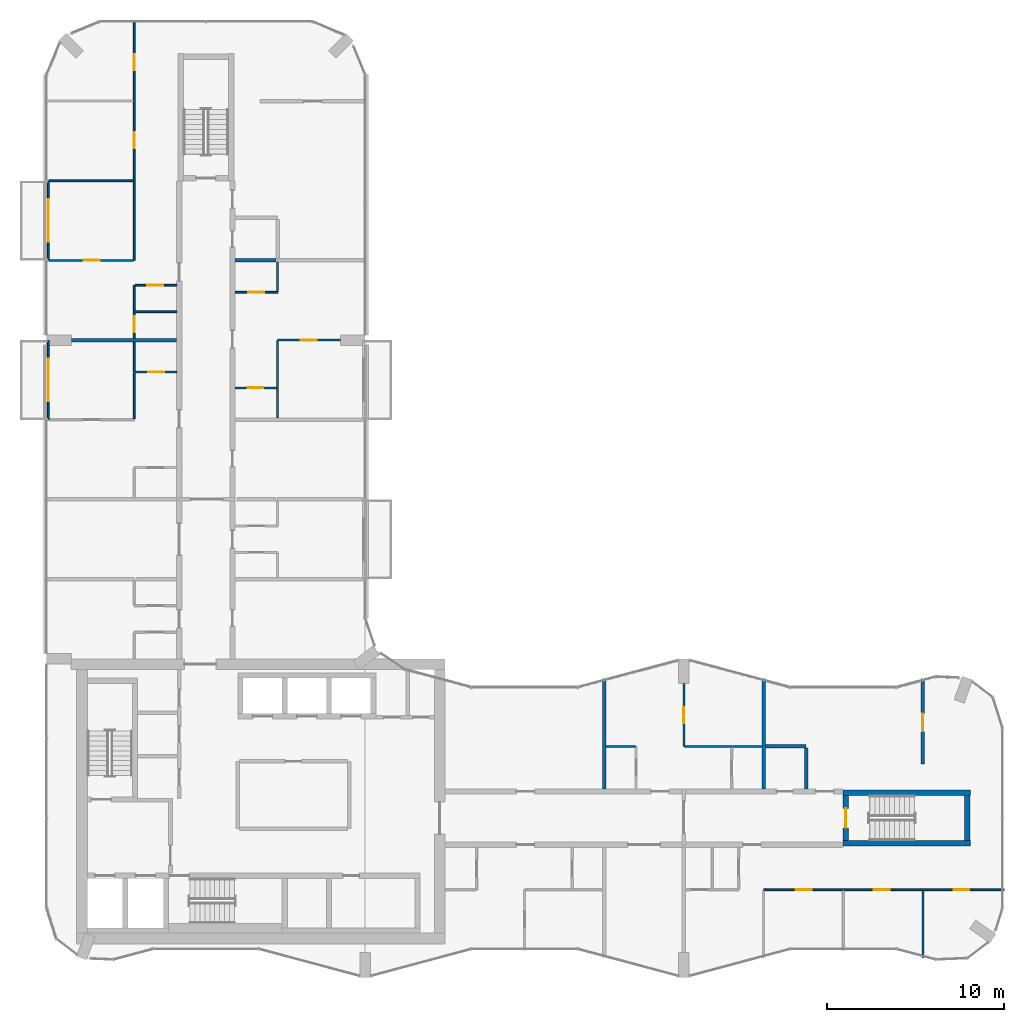
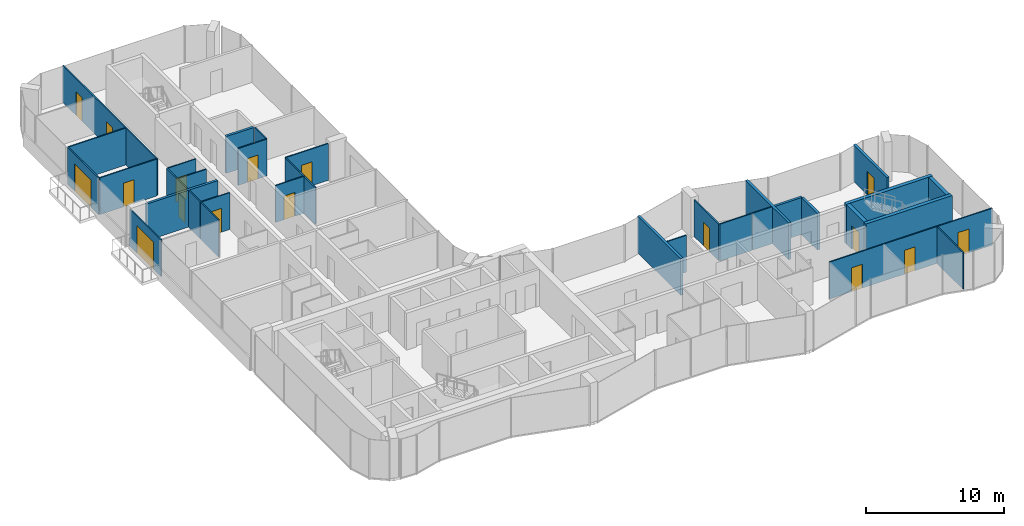
# One storey, part 12 of 15: 34 walls, 17 doors, 17 openings.
"""IFC4 building model written with IfcOpenShell, lengths in metres."""

import ifcopenshell
import ifcopenshell.guid

model = None  # the IFC model being written
_history = None  # IfcOwnerHistory: only IFC2X3 demands one
_inside = {}  # id of a spatial element -> (the spatial element, [elements in it])
_under = {}  # id of a project, library or spatial element -> (it, [spatial elements below it])
_declared = {}  # id of a project -> (the project, [libraries it declares])
_typed = {}  # id of a type object -> (the type object, [elements of that type])
_made_of = {}  # id of a material, layer set ... -> (it, [elements and type objects made of it])


def new_model(schema):
    """Start an empty IFC model of exactly this schema.

    Asked for "IFC4X3", IfcOpenShell would pick the latest addendum, in which some entities
    have other attributes; the version numbers below select the first issue.
    IFC2X3 requires an IfcOwnerHistory on every rooted entity: one is made here for all.
    """
    global model, _history
    if schema == "IFC4X3":
        model = ifcopenshell.file(schema_version=(4, 3, 0, 0))
    else:
        model = ifcopenshell.file(schema=schema)
    _inside.clear()
    _under.clear()
    _declared.clear()
    _typed.clear()
    _made_of.clear()
    _history = None
    if model.schema == "IFC2X3":
        org = make("IfcOrganization", Name="unknown")
        user = make(
            "IfcPersonAndOrganization",
            ThePerson=make("IfcPerson", FamilyName="unknown"),
            TheOrganization=org,
        )
        app = make(
            "IfcApplication",
            ApplicationDeveloper=org,
            Version="unknown",
            ApplicationFullName="unknown",
            ApplicationIdentifier="unknown",
        )
        _history = make(
            "IfcOwnerHistory",
            OwningUser=user,
            OwningApplication=app,
            ChangeAction="ADDED",
            CreationDate=0,
        )
    return model


def make(cls, **values):
    """One entity of the class cls with the attributes given. An attribute that is None is left unset."""
    return model.create_entity(
        cls, **{name: value for name, value in values.items() if value is not None}
    )


def rooted(cls, **values):
    """An entity with a GlobalId (a new one), such as an element, a storey or a relation."""
    return make(cls, GlobalId=ifcopenshell.guid.new(), OwnerHistory=_history, **values)


def si_unit(unit_type, name, prefix=None):
    """IfcSIUnit, for example si_unit("LENGTHUNIT", "METRE", prefix="MILLI")."""
    return make("IfcSIUnit", UnitType=unit_type, Prefix=prefix, Name=name)


def assignment(units):
    """IfcUnitAssignment: the units of a project."""
    return None if units is None else make("IfcUnitAssignment", Units=units)


def point(xyz):
    """IfcCartesianPoint."""
    return None if xyz is None else make("IfcCartesianPoint", Coordinates=xyz)


def direction(xyz):
    """IfcDirection."""
    return None if xyz is None else make("IfcDirection", DirectionRatios=xyz)


def frame(location, z_axis=None, x_axis=None):
    """IfcAxis2Placement3D, a coordinate frame: its origin and axes. An axis left out is left unset."""
    return make(
        "IfcAxis2Placement3D",
        Location=point(location),
        Axis=direction(z_axis),
        RefDirection=direction(x_axis),
    )


def frame_2d(location, x_axis=None):
    """IfcAxis2Placement2D, a coordinate frame in the plane: its origin and x axis."""
    return make(
        "IfcAxis2Placement2D", Location=point(location), RefDirection=direction(x_axis)
    )


def origin():
    """The frame at (0, 0, 0) with its axes left unset."""
    return frame((0.0, 0.0, 0.0))


def place(relative_to, where):
    """IfcLocalPlacement: puts the frame where relative to a parent placement (None: the world)."""
    return make(
        "IfcLocalPlacement", PlacementRelTo=relative_to, RelativePlacement=where
    )


def context(
    kind, dimensions, precision=None, world=None, true_north=None, identifier=None
):
    """IfcGeometricRepresentationContext, for example the 3D "Model" context."""
    return make(
        "IfcGeometricRepresentationContext",
        ContextIdentifier=identifier,
        ContextType=kind,
        CoordinateSpaceDimension=dimensions,
        Precision=precision,
        WorldCoordinateSystem=world,
        TrueNorth=true_north,
    )


def subcontext(parent, identifier, kind, view, scale=None):
    """IfcGeometricRepresentationSubContext, for example "Body" below "Model"."""
    return make(
        "IfcGeometricRepresentationSubContext",
        ContextIdentifier=identifier,
        ContextType=kind,
        ParentContext=parent,
        TargetScale=scale,
        TargetView=view,
    )


def project(units=None, contexts=None):
    """IfcProject with its units and contexts."""
    return rooted(
        "IfcProject",
        Name="project",
        RepresentationContexts=contexts,
        UnitsInContext=assignment(units),
    )


def spatial(cls, under=None, at=None, **own):
    """A site, building, storey or space (cls), placed at a placement, below another one or the project."""
    s = rooted(cls, ObjectPlacement=at, **own)
    if under is not None:
        _under.setdefault(under.id(), (under, []))[1].append(s)
    return s


def profile(cls, at=None, kind="AREA", **sizes):
    """A parametric profile (cls). Its sizes go by their IFC names, for example OverallWidth=200.0."""
    return make(cls, ProfileType=kind, Position=at, **sizes)


def rectangle(**sizes):
    """IfcRectangleProfileDef."""
    return profile("IfcRectangleProfileDef", **sizes)


def extrude(swept, where, along, depth):
    """IfcExtrudedAreaSolid: the profile swept, set in the frame where, extruded along a direction by depth."""
    return make(
        "IfcExtrudedAreaSolid",
        SweptArea=swept,
        Position=where,
        ExtrudedDirection=direction(along),
        Depth=depth,
    )


def shape(context_of_items, identifier, shape_type, items):
    """IfcShapeRepresentation: the items that make up one representation, for example the "Body"."""
    return make(
        "IfcShapeRepresentation",
        ContextOfItems=context_of_items,
        RepresentationIdentifier=identifier,
        RepresentationType=shape_type,
        Items=items,
    )


def material(Name=None, Category=None):
    """IfcMaterial."""
    return make("IfcMaterial", Name=Name, Category=Category)


def layer(
    of_material, thickness, ventilated=None, Name=None, Category=None, Priority=None
):
    """IfcMaterialLayer: one layer of a wall or slab, of a material (None: an air gap)."""
    return make(
        "IfcMaterialLayer",
        Material=of_material,
        LayerThickness=thickness,
        IsVentilated=ventilated,
        Name=Name,
        Category=Category,
        Priority=Priority,
    )


def layer_set(layers, Name=None):
    """IfcMaterialLayerSet."""
    return make("IfcMaterialLayerSet", MaterialLayers=layers, LayerSetName=Name)


def made_of(thing, what):
    """Note that an element or type object is made of a material, layer set ...; save() writes the relation."""
    if what is not None:
        _made_of.setdefault(what.id(), (what, []))[1].append(thing)
    return thing


def type_object(cls, material=None, **own):
    """A type object (cls), such as IfcWallType, which elements share."""
    return made_of(rooted(cls, **own), material)


def element(
    cls,
    number,
    at=None,
    inside=None,
    cuts=None,
    type_object=None,
    material=None,
    context=None,
    identifier="Body",
    shape_type=None,
    held_by="IfcProductDefinitionShape",
    body=None,
    shapes=None,
    **own,
):
    """One element of the class cls, such as IfcWall. Its Tag is "e" and its number.

    at: its placement. inside: the storey or other place that contains it. cuts: it is an
    opening in that element (IfcRelVoidsElement). A single representation is given by context,
    identifier, shape_type and body (its items); several are given by shapes. held_by: the class
    of the entity that holds the representations. save() writes the other relations.
    """
    e = rooted(cls, Tag="e%d" % number, ObjectPlacement=at, **own)
    if body is not None:
        shapes = [shape(context, identifier, shape_type, body)]
    if shapes is not None:
        e.Representation = make(held_by, Representations=shapes)
    if inside is not None:
        _inside.setdefault(inside.id(), (inside, []))[1].append(e)
    if cuts is not None:
        rooted(
            "IfcRelVoidsElement", RelatingBuildingElement=cuts, RelatedOpeningElement=e
        )
    if type_object is not None:
        _typed.setdefault(type_object.id(), (type_object, []))[1].append(e)
    return made_of(e, material)


def fill(opening, filler):
    """IfcRelFillsElement: the door or window that sits in an opening."""
    return rooted(
        "IfcRelFillsElement",
        RelatingOpeningElement=opening,
        RelatedBuildingElement=filler,
    )


def aggregate(whole, parts):
    """IfcRelAggregates: a whole, such as a stair, and the parts it consists of."""
    return rooted("IfcRelAggregates", RelatingObject=whole, RelatedObjects=parts)


def save(model, path):
    """Write the relations noted so far, then the file.

    IfcRelAggregates (storeys below a building ...), IfcRelContainedInSpatialStructure (elements
    in a storey), IfcRelDefinesByType, IfcRelAssociatesMaterial and IfcRelDeclares: one each for
    every whole, place, type object, material and project.
    """
    for whole, parts in _under.values():
        aggregate(whole, parts)
    for where, things in _inside.values():
        rooted(
            "IfcRelContainedInSpatialStructure",
            RelatedElements=things,
            RelatingStructure=where,
        )
    for kind, things in _typed.values():
        rooted("IfcRelDefinesByType", RelatedObjects=things, RelatingType=kind)
    for what, things in _made_of.values():
        rooted("IfcRelAssociatesMaterial", RelatedObjects=things, RelatingMaterial=what)
    for by, libraries in _declared.values():
        rooted("IfcRelDeclares", RelatingContext=by, RelatedDefinitions=libraries)
    model.write(path)


model = new_model("IFC4")

# Units and contexts
model_context = context("Model", 3, precision=1e-05, world=origin(), true_north=direction((0.0, 1.0)))
body_context = subcontext(model_context, "Body", "Model", "MODEL_VIEW")
ifc_project = project(units=[si_unit("LENGTHUNIT", "METRE"), si_unit("AREAUNIT", "SQUARE_METRE"), si_unit("VOLUMEUNIT", "CUBIC_METRE"), si_unit("PLANEANGLEUNIT", "RADIAN"), si_unit("MASSUNIT", "GRAM", prefix="KILO")], contexts=[model_context])

# Site, building, storey
site_placement = place(None, origin())
site = spatial("IfcSite", under=ifc_project, at=site_placement, CompositionType="ELEMENT")
building_placement = place(site_placement, origin())
building = spatial("IfcBuilding", under=site, at=building_placement, Name="Plateau Cross Towers", CompositionType="ELEMENT")
storey_placement = place(building_placement, frame((0.0, 0.0, 156.89990234375)))
storey = spatial("IfcBuildingStorey", under=building, at=storey_placement, Name="L40", CompositionType="ELEMENT", Elevation=156.89990234375)

# Wall, opening, door
ifc_material_1 = material(Name="Aluminium framed glazing", Category="aluminium")
ifc_layer_1 = layer(ifc_material_1, 0.10009765625)
ifc_layer_set_1 = layer_set([ifc_layer_1], Name="Aluminium framed glazing")
wall_type_1 = type_object("IfcWallType", Name="Balcony screen wall 100", PredefinedType="STANDARD", material=ifc_layer_set_1)
wall_1_placement = place(storey_placement, frame((0.10009765625, 31.5, 0.0), z_axis=(0.0, 0.0, 1.0), x_axis=(0.0, 1.0, 0.0)))
wall_1 = element("IfcWall", 1, at=wall_1_placement, inside=storey, type_object=wall_type_1, Name="Balcony screen wall A-BAL-L40-01", PredefinedType="STANDARD", context=body_context, shape_type="SweptSolid", body=[
    extrude(rectangle(XDim=4.5, YDim=0.10009765625, at=frame_2d((2.25, 0.0))), origin(), (0.0, 0.0, 1.0), 3.25),
])
opening_1_placement = place(wall_1_placement, frame((1.050048828125, 0.0, 0.0)))
opening_1 = element("IfcOpeningElement", 2, at=opening_1_placement, cuts=wall_1, Name="Opening D-B24", PredefinedType="OPENING", context=body_context, shape_type="SweptSolid", body=[
    extrude(rectangle(XDim=2.39990234375, YDim=2.39990234375, at=frame_2d((1.199951171875, 1.199951171875))), frame((0.0, 0.06005859375, 0.0), z_axis=(0.0, -1.0, 0.0), x_axis=(1.0, 0.0, 0.0)), (0.0, 0.0, 1.0), 0.1201171875),
])
ifc_material_2 = material(Name="Aluminium frame, double glazing", Category="aluminium")
door_type_1 = type_object("IfcDoorType", Name="Balcony sliding door 2400", OperationType="NOTDEFINED", PredefinedType="DOOR", material=ifc_material_2)
door_1_placement = place(opening_1_placement, origin())
door_1 = element("IfcDoor", 3, at=door_1_placement, inside=storey, type_object=door_type_1, Name="Balcony door A-BAL-L40-01", OperationType="SINGLE_SWING_LEFT", OverallHeight=2.39990234375, OverallWidth=2.39990234375, PredefinedType="DOOR", context=body_context, shape_type="SweptSolid", body=[
    extrude(rectangle(XDim=2.39990234375, YDim=2.39990234375, at=frame_2d((1.199951171875, 1.199951171875))), frame((0.0, 0.02490234375, 0.0), z_axis=(0.0, -1.0, 0.0), x_axis=(1.0, 0.0, 0.0)), (0.0, 0.0, 1.0), 0.050048828125),
])
fill(opening_1, door_1)

wall_2_placement = place(storey_placement, frame((0.10009765625, 40.5, 0.0), z_axis=(0.0, 0.0, 1.0), x_axis=(0.0, 1.0, 0.0)))
wall_2 = element("IfcWall", 4, at=wall_2_placement, inside=storey, type_object=wall_type_1, Name="Balcony screen wall A-BAL-L40-02", PredefinedType="STANDARD", context=body_context, shape_type="SweptSolid", body=[
    extrude(rectangle(XDim=4.5, YDim=0.10009765625, at=frame_2d((2.25, 0.0))), origin(), (0.0, 0.0, 1.0), 3.25),
])
opening_2_placement = place(wall_2_placement, frame((1.050048828125, 0.0, 0.0)))
opening_2 = element("IfcOpeningElement", 5, at=opening_2_placement, cuts=wall_2, Name="Opening D-B24", PredefinedType="OPENING", context=body_context, shape_type="SweptSolid", body=[
    extrude(rectangle(XDim=2.39990234375, YDim=2.39990234375, at=frame_2d((1.199951171875, 1.199951171875))), frame((0.0, 0.06005859375, 0.0), z_axis=(0.0, -1.0, 0.0), x_axis=(1.0, 0.0, 0.0)), (0.0, 0.0, 1.0), 0.1201171875),
])
door_2_placement = place(opening_2_placement, origin())
door_2 = element("IfcDoor", 6, at=door_2_placement, inside=storey, type_object=door_type_1, Name="Balcony door A-BAL-L40-02", OperationType="SINGLE_SWING_LEFT", OverallHeight=2.39990234375, OverallWidth=2.39990234375, PredefinedType="DOOR", context=body_context, shape_type="SweptSolid", body=[
    extrude(rectangle(XDim=2.39990234375, YDim=2.39990234375, at=frame_2d((1.199951171875, 1.199951171875))), frame((0.0, 0.02490234375, 0.0), z_axis=(0.0, -1.0, 0.0), x_axis=(1.0, 0.0, 0.0)), (0.0, 0.0, 1.0), 0.050048828125),
])
fill(opening_2, door_2)

# Wall, openings, doors
ifc_material_3 = material(Name="Gypsum board on steel studs", Category="steel")
ifc_layer_2 = layer(ifc_material_3, 0.10009765625)
ifc_layer_set_2 = layer_set([ifc_layer_2], Name="Gypsum board on steel studs")
wall_type_2 = type_object("IfcWallType", Name="Flat partition 100", PredefinedType="PARTITIONING", material=ifc_layer_set_2)
wall_3_placement = place(storey_placement, frame((54.080078125, 4.949951171875, 0.0), z_axis=(0.0, 0.0, 1.0), x_axis=(-1.0, 0.0, 0.0)))
wall_3 = element("IfcWall", 7, at=wall_3_placement, inside=storey, type_object=wall_type_2, Name="Partition wall", PredefinedType="PARTITIONING", context=body_context, shape_type="SweptSolid", body=[
    extrude(rectangle(XDim=13.580078125, YDim=0.10009765625, at=frame_2d((6.7900390625, 0.0))), origin(), (0.0, 0.0, 1.0), 3.25),
])
opening_3_placement = place(wall_3_placement, frame((10.85009765625, 0.0, 0.0)))
opening_3 = element("IfcOpeningElement", 8, at=opening_3_placement, cuts=wall_3, Name="Opening 40-27", PredefinedType="OPENING", context=body_context, shape_type="SweptSolid", body=[
    extrude(rectangle(XDim=0.89990234375, YDim=2.10009765625, at=frame_2d((0.449951171875, 1.050048828125))), frame((0.0, 0.06005859375, 0.0), z_axis=(0.0, -1.0, 0.0), x_axis=(1.0, 0.0, 0.0)), (0.0, 0.0, 1.0), 0.1201171875),
])
opening_4_placement = place(wall_3_placement, frame((6.449951171875, 0.0, 0.0)))
opening_4 = element("IfcOpeningElement", 9, at=opening_4_placement, cuts=wall_3, Name="Opening 40-28", PredefinedType="OPENING", context=body_context, shape_type="SweptSolid", body=[
    extrude(rectangle(XDim=0.89990234375, YDim=2.10009765625, at=frame_2d((0.449951171875, 1.050048828125))), frame((0.0, 0.06005859375, 0.0), z_axis=(0.0, -1.0, 0.0), x_axis=(1.0, 0.0, 0.0)), (0.0, 0.0, 1.0), 0.1201171875),
])
opening_5_placement = place(wall_3_placement, frame((1.949951171875, 0.0, 0.0)))
opening_5 = element("IfcOpeningElement", 10, at=opening_5_placement, cuts=wall_3, Name="Opening 40-29", PredefinedType="OPENING", context=body_context, shape_type="SweptSolid", body=[
    extrude(rectangle(XDim=0.89990234375, YDim=2.10009765625, at=frame_2d((0.449951171875, 1.050048828125))), frame((0.0, 0.06005859375, 0.0), z_axis=(0.0, -1.0, 0.0), x_axis=(1.0, 0.0, 0.0)), (0.0, 0.0, 1.0), 0.1201171875),
])
ifc_material_4 = material(Name="Timber leaf", Category="wood")
door_type_2 = type_object("IfcDoorType", Name="Flat room door 900", OperationType="NOTDEFINED", PredefinedType="DOOR", material=ifc_material_4)
door_3_placement = place(opening_3_placement, origin())
door_3 = element("IfcDoor", 11, at=door_3_placement, inside=storey, type_object=door_type_2, Name="Door 40-27", OperationType="SINGLE_SWING_RIGHT", OverallHeight=2.10009765625, OverallWidth=0.89990234375, PredefinedType="DOOR", context=body_context, shape_type="SweptSolid", body=[
    extrude(rectangle(XDim=0.89990234375, YDim=2.10009765625, at=frame_2d((0.449951171875, 1.050048828125))), frame((0.0, 0.02490234375, 0.0), z_axis=(0.0, -1.0, 0.0), x_axis=(1.0, 0.0, 0.0)), (0.0, 0.0, 1.0), 0.050048828125),
])
fill(opening_3, door_3)
door_4_placement = place(opening_4_placement, origin())
door_4 = element("IfcDoor", 12, at=door_4_placement, inside=storey, type_object=door_type_2, Name="Door 40-28", OperationType="SINGLE_SWING_RIGHT", OverallHeight=2.10009765625, OverallWidth=0.89990234375, PredefinedType="DOOR", context=body_context, shape_type="SweptSolid", body=[
    extrude(rectangle(XDim=0.89990234375, YDim=2.10009765625, at=frame_2d((0.449951171875, 1.050048828125))), frame((0.0, 0.02490234375, 0.0), z_axis=(0.0, -1.0, 0.0), x_axis=(1.0, 0.0, 0.0)), (0.0, 0.0, 1.0), 0.050048828125),
])
fill(opening_4, door_4)
door_5_placement = place(opening_5_placement, origin())
door_5 = element("IfcDoor", 13, at=door_5_placement, inside=storey, type_object=door_type_2, Name="Door 40-29", OperationType="SINGLE_SWING_LEFT", OverallHeight=2.10009765625, OverallWidth=0.89990234375, PredefinedType="DOOR", context=body_context, shape_type="SweptSolid", body=[
    extrude(rectangle(XDim=0.89990234375, YDim=2.10009765625, at=frame_2d((0.449951171875, 1.050048828125))), frame((0.0, 0.02490234375, 0.0), z_axis=(0.0, -1.0, 0.0), x_axis=(1.0, 0.0, 0.0)), (0.0, 0.0, 1.0), 0.050048828125),
])
fill(opening_5, door_5)

# Walls
for number, where, z_axis, x_axis, name in (
    (14, (33.25, 13.050048828125, 0.0), (0.0, 0.0, 1.0), (-1.0, 0.0, 0.0), "Partition wall"),
    (15, (40.39990234375, 13.050048828125, 0.0), (0.0, 0.0, 1.0), (-1.0, 0.0, 0.0), "Partition wall"),
):
    element("IfcWall", number, at=place(storey_placement, frame(where, z_axis=z_axis, x_axis=x_axis)), inside=storey, type_object=wall_type_2, Name=name, PredefinedType="PARTITIONING", context=body_context, shape_type="SweptSolid", body=[
        extrude(rectangle(XDim=1.64990234375, YDim=0.10009765625, at=frame_2d((0.824951171875, 0.0))), origin(), (0.0, 0.0, 1.0), 3.25),
    ])
wall_4_placement = place(storey_placement, frame((36.050048828125, 13.050048828125, 0.0), z_axis=(0.0, 0.0, 1.0), x_axis=(1.0, 0.0, 0.0)))
element("IfcWall", 16, at=wall_4_placement, inside=storey, type_object=wall_type_2, Name="Partition wall", PredefinedType="PARTITIONING", context=body_context, shape_type="SweptSolid", body=[
    extrude(rectangle(XDim=2.64990234375, YDim=0.10009765625, at=frame_2d((1.324951171875, 0.0))), origin(), (0.0, 0.0, 1.0), 3.25),
])

# Wall, opening, door
wall_5_placement = place(storey_placement, frame((13.0, 33.300048828125, 0.0), z_axis=(0.0, 0.0, 1.0), x_axis=(-1.0, 0.0, 0.0)))
wall_5 = element("IfcWall", 17, at=wall_5_placement, inside=storey, type_object=wall_type_2, Name="Partition wall", PredefinedType="PARTITIONING", context=body_context, shape_type="SweptSolid", body=[
    extrude(rectangle(XDim=2.35009765625, YDim=0.10009765625, at=frame_2d((1.175048828125, 0.0))), origin(), (0.0, 0.0, 1.0), 3.25),
])
opening_6_placement = place(wall_5_placement, frame((0.75, 0.0, 0.0)))
opening_6 = element("IfcOpeningElement", 18, at=opening_6_placement, cuts=wall_5, Name="Opening 40-45", PredefinedType="OPENING", context=body_context, shape_type="SweptSolid", body=[
    extrude(rectangle(XDim=0.89990234375, YDim=2.10009765625, at=frame_2d((0.449951171875, 1.050048828125))), frame((0.0, 0.06005859375, 0.0), z_axis=(0.0, -1.0, 0.0), x_axis=(1.0, 0.0, 0.0)), (0.0, 0.0, 1.0), 0.1201171875),
])
door_6_placement = place(opening_6_placement, origin())
door_6 = element("IfcDoor", 19, at=door_6_placement, inside=storey, type_object=door_type_2, Name="Door 40-45", OperationType="SINGLE_SWING_RIGHT", OverallHeight=2.10009765625, OverallWidth=0.89990234375, PredefinedType="DOOR", context=body_context, shape_type="SweptSolid", body=[
    extrude(rectangle(XDim=0.89990234375, YDim=2.10009765625, at=frame_2d((0.449951171875, 1.050048828125))), frame((0.0, 0.02490234375, 0.0), z_axis=(0.0, -1.0, 0.0), x_axis=(1.0, 0.0, 0.0)), (0.0, 0.0, 1.0), 0.050048828125),
])
fill(opening_6, door_6)

wall_6_placement = place(storey_placement, frame((5.0, 34.199951171875, 0.0), z_axis=(0.0, 0.0, 1.0), x_axis=(1.0, 0.0, 0.0)))
wall_6 = element("IfcWall", 20, at=wall_6_placement, inside=storey, type_object=wall_type_2, Name="Partition wall", PredefinedType="PARTITIONING", context=body_context, shape_type="SweptSolid", body=[
    extrude(rectangle(XDim=2.35009765625, YDim=0.10009765625, at=frame_2d((1.175048828125, 0.0))), origin(), (0.0, 0.0, 1.0), 3.25),
])
opening_7_placement = place(wall_6_placement, frame((0.75, 0.0, 0.0)))
opening_7 = element("IfcOpeningElement", 21, at=opening_7_placement, cuts=wall_6, Name="Opening 40-36", PredefinedType="OPENING", context=body_context, shape_type="SweptSolid", body=[
    extrude(rectangle(XDim=0.89990234375, YDim=2.10009765625, at=frame_2d((0.449951171875, 1.050048828125))), frame((0.0, 0.06005859375, 0.0), z_axis=(0.0, -1.0, 0.0), x_axis=(1.0, 0.0, 0.0)), (0.0, 0.0, 1.0), 0.1201171875),
])
door_7_placement = place(opening_7_placement, origin())
door_7 = element("IfcDoor", 22, at=door_7_placement, inside=storey, type_object=door_type_2, Name="Door 40-36", OperationType="SINGLE_SWING_RIGHT", OverallHeight=2.10009765625, OverallWidth=0.89990234375, PredefinedType="DOOR", context=body_context, shape_type="SweptSolid", body=[
    extrude(rectangle(XDim=0.89990234375, YDim=2.10009765625, at=frame_2d((0.449951171875, 1.050048828125))), frame((0.0, 0.02490234375, 0.0), z_axis=(0.0, -1.0, 0.0), x_axis=(1.0, 0.0, 0.0)), (0.0, 0.0, 1.0), 0.050048828125),
])
fill(opening_7, door_7)

wall_7_placement = place(storey_placement, frame((16.60009765625, 36.0, 0.0), z_axis=(0.0, 0.0, 1.0), x_axis=(-1.0, 0.0, 0.0)))
wall_7 = element("IfcWall", 23, at=wall_7_placement, inside=storey, type_object=wall_type_2, Name="Partition wall", PredefinedType="PARTITIONING", context=body_context, shape_type="SweptSolid", body=[
    extrude(rectangle(XDim=3.550048828125, YDim=0.10009765625, at=frame_2d((1.77490234375, 0.0))), origin(), (0.0, 0.0, 1.0), 3.25),
])
opening_8_placement = place(wall_7_placement, frame((1.35009765625, 0.0, 0.0)))
opening_8 = element("IfcOpeningElement", 24, at=opening_8_placement, cuts=wall_7, Name="Opening 40-47", PredefinedType="OPENING", context=body_context, shape_type="SweptSolid", body=[
    extrude(rectangle(XDim=0.89990234375, YDim=2.10009765625, at=frame_2d((0.449951171875, 1.050048828125))), frame((0.0, 0.06005859375, 0.0), z_axis=(0.0, -1.0, 0.0), x_axis=(1.0, 0.0, 0.0)), (0.0, 0.0, 1.0), 0.1201171875),
])
door_8_placement = place(opening_8_placement, origin())
door_8 = element("IfcDoor", 25, at=door_8_placement, inside=storey, type_object=door_type_2, Name="Door 40-47", OperationType="SINGLE_SWING_RIGHT", OverallHeight=2.10009765625, OverallWidth=0.89990234375, PredefinedType="DOOR", context=body_context, shape_type="SweptSolid", body=[
    extrude(rectangle(XDim=0.89990234375, YDim=2.10009765625, at=frame_2d((0.449951171875, 1.050048828125))), frame((0.0, 0.02490234375, 0.0), z_axis=(0.0, -1.0, 0.0), x_axis=(1.0, 0.0, 0.0)), (0.0, 0.0, 1.0), 0.050048828125),
])
fill(opening_8, door_8)

# Wall
wall_8_placement = place(storey_placement, frame((7.35009765625, 37.60009765625, 0.0), z_axis=(0.0, 0.0, 1.0), x_axis=(-1.0, 0.0, 0.0)))
element("IfcWall", 26, at=wall_8_placement, inside=storey, type_object=wall_type_2, Name="Partition wall", PredefinedType="PARTITIONING", context=body_context, shape_type="SweptSolid", body=[
    extrude(rectangle(XDim=2.35009765625, YDim=0.10009765625, at=frame_2d((1.175048828125, 0.0))), origin(), (0.0, 0.0, 1.0), 3.25),
])

# Wall, opening, door
wall_9_placement = place(storey_placement, frame((10.64990234375, 38.699951171875, 0.0), z_axis=(0.0, 0.0, 1.0), x_axis=(1.0, 0.0, 0.0)))
wall_9 = element("IfcWall", 27, at=wall_9_placement, inside=storey, type_object=wall_type_2, Name="Partition wall", PredefinedType="PARTITIONING", context=body_context, shape_type="SweptSolid", body=[
    extrude(rectangle(XDim=2.400146484375, YDim=0.10009765625, at=frame_2d((1.2001953125, 0.0))), origin(), (0.0, 0.0, 1.0), 3.25),
])
opening_9_placement = place(wall_9_placement, frame((0.75, 0.0, 0.0)))
opening_9 = element("IfcOpeningElement", 28, at=opening_9_placement, cuts=wall_9, Name="Opening 40-46", PredefinedType="OPENING", context=body_context, shape_type="SweptSolid", body=[
    extrude(rectangle(XDim=0.89990234375, YDim=2.10009765625, at=frame_2d((0.449951171875, 1.050048828125))), frame((0.0, 0.06005859375, 0.0), z_axis=(0.0, -1.0, 0.0), x_axis=(1.0, 0.0, 0.0)), (0.0, 0.0, 1.0), 0.1201171875),
])
door_9_placement = place(opening_9_placement, origin())
door_9 = element("IfcDoor", 29, at=door_9_placement, inside=storey, type_object=door_type_2, Name="Door 40-46", OperationType="SINGLE_SWING_LEFT", OverallHeight=2.10009765625, OverallWidth=0.89990234375, PredefinedType="DOOR", context=body_context, shape_type="SweptSolid", body=[
    extrude(rectangle(XDim=0.89990234375, YDim=2.10009765625, at=frame_2d((0.449951171875, 1.050048828125))), frame((0.0, 0.02490234375, 0.0), z_axis=(0.0, -1.0, 0.0), x_axis=(1.0, 0.0, 0.0)), (0.0, 0.0, 1.0), 0.050048828125),
])
fill(opening_9, door_9)

wall_10_placement = place(storey_placement, frame((7.35009765625, 39.10009765625, 0.0), z_axis=(0.0, 0.0, 1.0), x_axis=(-1.0, 0.0, 0.0)))
wall_10 = element("IfcWall", 30, at=wall_10_placement, inside=storey, type_object=wall_type_2, Name="Partition wall", PredefinedType="PARTITIONING", context=body_context, shape_type="SweptSolid", body=[
    extrude(rectangle(XDim=2.35009765625, YDim=0.10009765625, at=frame_2d((1.175048828125, 0.0))), origin(), (0.0, 0.0, 1.0), 3.25),
])
opening_10_placement = place(wall_10_placement, frame((0.75, 0.0, 0.0)))
opening_10 = element("IfcOpeningElement", 31, at=opening_10_placement, cuts=wall_10, Name="Opening 40-39", PredefinedType="OPENING", context=body_context, shape_type="SweptSolid", body=[
    extrude(rectangle(XDim=0.89990234375, YDim=2.10009765625, at=frame_2d((0.449951171875, 1.050048828125))), frame((0.0, 0.06005859375, 0.0), z_axis=(0.0, -1.0, 0.0), x_axis=(1.0, 0.0, 0.0)), (0.0, 0.0, 1.0), 0.1201171875),
])
door_10_placement = place(opening_10_placement, origin())
door_10 = element("IfcDoor", 32, at=door_10_placement, inside=storey, type_object=door_type_2, Name="Door 40-39", OperationType="SINGLE_SWING_RIGHT", OverallHeight=2.10009765625, OverallWidth=0.89990234375, PredefinedType="DOOR", context=body_context, shape_type="SweptSolid", body=[
    extrude(rectangle(XDim=0.89990234375, YDim=2.10009765625, at=frame_2d((0.449951171875, 1.050048828125))), frame((0.0, 0.02490234375, 0.0), z_axis=(0.0, -1.0, 0.0), x_axis=(1.0, 0.0, 0.0)), (0.0, 0.0, 1.0), 0.050048828125),
])
fill(opening_10, door_10)

wall_11_placement = place(storey_placement, frame((0.14990234375, 40.5, 0.0), z_axis=(0.0, 0.0, 1.0), x_axis=(1.0, 0.0, 0.0)))
wall_11 = element("IfcWall", 33, at=wall_11_placement, inside=storey, type_object=wall_type_2, Name="Partition wall", PredefinedType="PARTITIONING", context=body_context, shape_type="SweptSolid", body=[
    extrude(rectangle(XDim=4.75, YDim=0.10009765625, at=frame_2d((2.375, 0.0))), origin(), (0.0, 0.0, 1.0), 3.25),
])
opening_11_placement = place(wall_11_placement, frame((1.949951171875, 0.0, 0.0)))
opening_11 = element("IfcOpeningElement", 34, at=opening_11_placement, cuts=wall_11, Name="Opening 40-40", PredefinedType="OPENING", context=body_context, shape_type="SweptSolid", body=[
    extrude(rectangle(XDim=0.89990234375, YDim=2.10009765625, at=frame_2d((0.449951171875, 1.050048828125))), frame((0.0, 0.06005859375, 0.0), z_axis=(0.0, -1.0, 0.0), x_axis=(1.0, 0.0, 0.0)), (0.0, 0.0, 1.0), 0.1201171875),
])
door_11_placement = place(opening_11_placement, origin())
door_11 = element("IfcDoor", 35, at=door_11_placement, inside=storey, type_object=door_type_2, Name="Door 40-40", OperationType="SINGLE_SWING_RIGHT", OverallHeight=2.10009765625, OverallWidth=0.89990234375, PredefinedType="DOOR", context=body_context, shape_type="SweptSolid", body=[
    extrude(rectangle(XDim=0.89990234375, YDim=2.10009765625, at=frame_2d((0.449951171875, 1.050048828125))), frame((0.0, 0.02490234375, 0.0), z_axis=(0.0, -1.0, 0.0), x_axis=(1.0, 0.0, 0.0)), (0.0, 0.0, 1.0), 0.050048828125),
])
fill(opening_11, door_11)

# Walls
wall_12_placement = place(storey_placement, frame((4.89990234375, 45.0, 0.0), z_axis=(0.0, 0.0, 1.0), x_axis=(-1.0, 0.0, 0.0)))
element("IfcWall", 36, at=wall_12_placement, inside=storey, type_object=wall_type_2, Name="Partition wall", PredefinedType="PARTITIONING", context=body_context, shape_type="SweptSolid", body=[
    extrude(rectangle(XDim=4.75, YDim=0.10009765625, at=frame_2d((2.375, 0.0))), origin(), (0.0, 0.0, 1.0), 3.25),
])
wall_13_placement = place(storey_placement, frame((4.949951171875, 35.89990234375, 0.0), z_axis=(0.0, 0.0, 1.0), x_axis=(0.0, -1.0, 0.0)))
element("IfcWall", 37, at=wall_13_placement, inside=storey, type_object=wall_type_2, Name="Partition wall", PredefinedType="PARTITIONING", context=body_context, shape_type="SweptSolid", body=[
    extrude(rectangle(XDim=1.699951171875, YDim=0.10009765625, at=frame_2d((0.85009765625, 0.0))), origin(), (0.0, 0.0, 1.0), 3.25),
])

# Wall, opening, door
wall_14_placement = place(storey_placement, frame((4.949951171875, 39.10009765625, 0.0), z_axis=(0.0, 0.0, 1.0), x_axis=(0.0, -1.0, 0.0)))
wall_14 = element("IfcWall", 38, at=wall_14_placement, inside=storey, type_object=wall_type_2, Name="Partition wall", PredefinedType="PARTITIONING", context=body_context, shape_type="SweptSolid", body=[
    extrude(rectangle(XDim=3.0, YDim=0.10009765625, at=frame_2d((1.5, 0.0))), origin(), (0.0, 0.0, 1.0), 3.25),
])
opening_12_placement = place(wall_14_placement, frame((1.75, 0.0, 0.0)))
opening_12 = element("IfcOpeningElement", 39, at=opening_12_placement, cuts=wall_14, Name="Opening 40-38", PredefinedType="OPENING", context=body_context, shape_type="SweptSolid", body=[
    extrude(rectangle(XDim=0.89990234375, YDim=2.10009765625, at=frame_2d((0.449951171875, 1.050048828125))), frame((0.0, 0.06005859375, 0.0), z_axis=(0.0, -1.0, 0.0), x_axis=(1.0, 0.0, 0.0)), (0.0, 0.0, 1.0), 0.1201171875),
])
door_12_placement = place(opening_12_placement, origin())
door_12 = element("IfcDoor", 40, at=door_12_placement, inside=storey, type_object=door_type_2, Name="Door 40-38", OperationType="SINGLE_SWING_RIGHT", OverallHeight=2.10009765625, OverallWidth=0.89990234375, PredefinedType="DOOR", context=body_context, shape_type="SweptSolid", body=[
    extrude(rectangle(XDim=0.89990234375, YDim=2.10009765625, at=frame_2d((0.449951171875, 1.050048828125))), frame((0.0, 0.02490234375, 0.0), z_axis=(0.0, -1.0, 0.0), x_axis=(1.0, 0.0, 0.0)), (0.0, 0.0, 1.0), 0.050048828125),
])
fill(opening_12, door_12)

# Wall
wall_15_placement = place(storey_placement, frame((4.949951171875, 31.550048828125, 0.0), z_axis=(0.0, 0.0, 1.0), x_axis=(0.0, 1.0, 0.0)))
element("IfcWall", 41, at=wall_15_placement, inside=storey, type_object=wall_type_2, Name="Partition wall", PredefinedType="PARTITIONING", context=body_context, shape_type="SweptSolid", body=[
    extrude(rectangle(XDim=2.599853515625, YDim=0.10009765625, at=frame_2d((1.2998046875, 0.0))), origin(), (0.0, 0.0, 1.0), 3.25),
])

# Wall, openings, doors
wall_16_placement = place(storey_placement, frame((4.949951171875, 40.5, 0.0), z_axis=(0.0, 0.0, 1.0), x_axis=(0.0, 1.0, 0.0)))
wall_16 = element("IfcWall", 42, at=wall_16_placement, inside=storey, type_object=wall_type_2, Name="Partition wall", PredefinedType="PARTITIONING", context=body_context, shape_type="SweptSolid", body=[
    extrude(rectangle(XDim=13.580078125, YDim=0.10009765625, at=frame_2d((6.7900390625, 0.0))), origin(), (0.0, 0.0, 1.0), 3.25),
])
opening_13_placement = place(wall_16_placement, frame((6.35009765625, 0.0, 0.0)))
opening_13 = element("IfcOpeningElement", 43, at=opening_13_placement, cuts=wall_16, Name="Opening 40-41", PredefinedType="OPENING", context=body_context, shape_type="SweptSolid", body=[
    extrude(rectangle(XDim=0.89990234375, YDim=2.10009765625, at=frame_2d((0.449951171875, 1.050048828125))), frame((0.0, 0.06005859375, 0.0), z_axis=(0.0, -1.0, 0.0), x_axis=(1.0, 0.0, 0.0)), (0.0, 0.0, 1.0), 0.1201171875),
])
opening_14_placement = place(wall_16_placement, frame((10.75, 0.0, 0.0)))
opening_14 = element("IfcOpeningElement", 44, at=opening_14_placement, cuts=wall_16, Name="Opening 40-42", PredefinedType="OPENING", context=body_context, shape_type="SweptSolid", body=[
    extrude(rectangle(XDim=0.89990234375, YDim=2.10009765625, at=frame_2d((0.449951171875, 1.050048828125))), frame((0.0, 0.06005859375, 0.0), z_axis=(0.0, -1.0, 0.0), x_axis=(1.0, 0.0, 0.0)), (0.0, 0.0, 1.0), 0.1201171875),
])
door_13_placement = place(opening_13_placement, origin())
door_13 = element("IfcDoor", 45, at=door_13_placement, inside=storey, type_object=door_type_2, Name="Door 40-41", OperationType="SINGLE_SWING_RIGHT", OverallHeight=2.10009765625, OverallWidth=0.89990234375, PredefinedType="DOOR", context=body_context, shape_type="SweptSolid", body=[
    extrude(rectangle(XDim=0.89990234375, YDim=2.10009765625, at=frame_2d((0.449951171875, 1.050048828125))), frame((0.0, 0.02490234375, 0.0), z_axis=(0.0, -1.0, 0.0), x_axis=(1.0, 0.0, 0.0)), (0.0, 0.0, 1.0), 0.050048828125),
])
fill(opening_13, door_13)
door_14_placement = place(opening_14_placement, origin())
door_14 = element("IfcDoor", 46, at=door_14_placement, inside=storey, type_object=door_type_2, Name="Door 40-42", OperationType="SINGLE_SWING_RIGHT", OverallHeight=2.10009765625, OverallWidth=0.89990234375, PredefinedType="DOOR", context=body_context, shape_type="SweptSolid", body=[
    extrude(rectangle(XDim=0.89990234375, YDim=2.10009765625, at=frame_2d((0.449951171875, 1.050048828125))), frame((0.0, 0.02490234375, 0.0), z_axis=(0.0, -1.0, 0.0), x_axis=(1.0, 0.0, 0.0)), (0.0, 0.0, 1.0), 0.050048828125),
])
fill(opening_14, door_14)

# Walls
wall_17_placement = place(storey_placement, frame((13.050048828125, 35.949951171875, 0.0), z_axis=(0.0, 0.0, 1.0), x_axis=(0.0, -1.0, 0.0)))
element("IfcWall", 47, at=wall_17_placement, inside=storey, type_object=wall_type_2, Name="Partition wall", PredefinedType="PARTITIONING", context=body_context, shape_type="SweptSolid", body=[
    extrude(rectangle(XDim=2.64990234375, YDim=0.10009765625, at=frame_2d((1.324951171875, 0.0))), origin(), (0.0, 0.0, 1.0), 3.25),
])
for number, where, z_axis, x_axis, name in (
    (48, (13.050048828125, 31.60009765625, 0.0), (0.0, 0.0, 1.0), (0.0, 1.0, 0.0), "Partition wall"),
    (49, (13.050048828125, 38.75, 0.0), (0.0, 0.0, 1.0), (0.0, 1.0, 0.0), "Partition wall"),
):
    element("IfcWall", number, at=place(storey_placement, frame(where, z_axis=z_axis, x_axis=x_axis)), inside=storey, type_object=wall_type_2, Name=name, PredefinedType="PARTITIONING", context=body_context, shape_type="SweptSolid", body=[
        extrude(rectangle(XDim=1.64990234375, YDim=0.10009765625, at=frame_2d((0.824951171875, 0.0))), origin(), (0.0, 0.0, 1.0), 3.25),
    ])

# Wall, opening, door
wall_18_placement = place(storey_placement, frame((36.0, 16.60009765625, 0.0), z_axis=(0.0, 0.0, 1.0), x_axis=(0.0, -1.0, 0.0)))
wall_18 = element("IfcWall", 50, at=wall_18_placement, inside=storey, type_object=wall_type_2, Name="Partition wall", PredefinedType="PARTITIONING", context=body_context, shape_type="SweptSolid", body=[
    extrude(rectangle(XDim=3.550048828125, YDim=0.10009765625, at=frame_2d((1.77490234375, 0.0))), origin(), (0.0, 0.0, 1.0), 3.25),
])
opening_15_placement = place(wall_18_placement, frame((1.35009765625, 0.0, 0.0)))
opening_15 = element("IfcOpeningElement", 51, at=opening_15_placement, cuts=wall_18, Name="Opening 40-32", PredefinedType="OPENING", context=body_context, shape_type="SweptSolid", body=[
    extrude(rectangle(XDim=0.89990234375, YDim=2.10009765625, at=frame_2d((0.449951171875, 1.050048828125))), frame((0.0, 0.06005859375, 0.0), z_axis=(0.0, -1.0, 0.0), x_axis=(1.0, 0.0, 0.0)), (0.0, 0.0, 1.0), 0.1201171875),
])
door_15_placement = place(opening_15_placement, origin())
door_15 = element("IfcDoor", 52, at=door_15_placement, inside=storey, type_object=door_type_2, Name="Door 40-32", OperationType="SINGLE_SWING_RIGHT", OverallHeight=2.10009765625, OverallWidth=0.89990234375, PredefinedType="DOOR", context=body_context, shape_type="SweptSolid", body=[
    extrude(rectangle(XDim=0.89990234375, YDim=2.10009765625, at=frame_2d((0.449951171875, 1.050048828125))), frame((0.0, 0.02490234375, 0.0), z_axis=(0.0, -1.0, 0.0), x_axis=(1.0, 0.0, 0.0)), (0.0, 0.0, 1.0), 0.050048828125),
])
fill(opening_15, door_15)

# Walls
wall_19_placement = place(storey_placement, frame((49.5, 1.122314453125, 0.0), z_axis=(0.0, 0.0, 1.0), x_axis=(0.0, 1.0, 0.0)))
element("IfcWall", 53, at=wall_19_placement, inside=storey, type_object=wall_type_2, Name="Partition wall", PredefinedType="PARTITIONING", context=body_context, shape_type="SweptSolid", body=[
    extrude(rectangle(XDim=3.777587890625, YDim=0.10009765625, at=frame_2d((1.888671875, 0.0))), origin(), (0.0, 0.0, 1.0), 3.25),
])
ifc_material_5 = material(Name="Gypsum board on steel studs, two layers each side", Category="steel")
ifc_layer_3 = layer(ifc_material_5, 0.199951171875)
ifc_layer_set_3 = layer_set([ifc_layer_3], Name="Gypsum board on steel studs, two layers each side")
wall_type_3 = type_object("IfcWallType", Name="Flat party wall 200", PredefinedType="PARTITIONING", material=ifc_layer_set_3)
wall_20_placement = place(storey_placement, frame((42.89990234375, 13.050048828125, 0.0), z_axis=(0.0, 0.0, 1.0), x_axis=(-1.0, 0.0, 0.0)))
element("IfcWall", 54, at=wall_20_placement, inside=storey, type_object=wall_type_3, Name="Party wall", PredefinedType="PARTITIONING", context=body_context, shape_type="SweptSolid", body=[
    extrude(rectangle(XDim=2.2998046875, YDim=0.199951171875, at=frame_2d((1.14990234375, 0.0))), origin(), (0.0, 0.0, 1.0), 3.25),
])
wall_21_placement = place(storey_placement, frame((7.35009765625, 36.0, 0.0), z_axis=(0.0, 0.0, 1.0), x_axis=(-1.0, 0.0, 0.0)))
element("IfcWall", 55, at=wall_21_placement, inside=storey, type_object=wall_type_3, Name="Party wall", PredefinedType="PARTITIONING", context=body_context, shape_type="SweptSolid", body=[
    extrude(rectangle(XDim=5.9501953125, YDim=0.199951171875, at=frame_2d((2.97509765625, 0.0))), origin(), (0.0, 0.0, 1.0), 3.25),
])
wall_22_placement = place(storey_placement, frame((12.949951171875, 40.5, 0.0), z_axis=(0.0, 0.0, 1.0), x_axis=(-1.0, 0.0, 0.0)))
element("IfcWall", 56, at=wall_22_placement, inside=storey, type_object=wall_type_3, Name="Party wall", PredefinedType="PARTITIONING", context=body_context, shape_type="SweptSolid", body=[
    extrude(rectangle(XDim=2.300048828125, YDim=0.199951171875, at=frame_2d((1.14990234375, 0.0))), origin(), (0.0, 0.0, 1.0), 3.25),
])
for number, where, z_axis, x_axis, name in (
    (57, (31.5, 10.64990234375, 0.0), (0.0, 0.0, 1.0), (0.0, 1.0, 0.0), "Party wall"),
    (58, (40.5, 10.64990234375, 0.0), (0.0, 0.0, 1.0), (0.0, 1.0, 0.0), "Party wall"),
):
    element("IfcWall", number, at=place(storey_placement, frame(where, z_axis=z_axis, x_axis=x_axis)), inside=storey, type_object=wall_type_3, Name=name, PredefinedType="PARTITIONING", context=body_context, shape_type="SweptSolid", body=[
        extrude(rectangle(XDim=6.227783203125, YDim=0.199951171875, at=frame_2d((3.11376953125, 0.0))), origin(), (0.0, 0.0, 1.0), 3.25),
    ])
wall_23_placement = place(storey_placement, frame((42.89990234375, 10.64990234375, 0.0), z_axis=(0.0, 0.0, 1.0), x_axis=(0.0, 1.0, 0.0)))
element("IfcWall", 59, at=wall_23_placement, inside=storey, type_object=wall_type_3, Name="Party wall", PredefinedType="PARTITIONING", context=body_context, shape_type="SweptSolid", body=[
    extrude(rectangle(XDim=2.300048828125, YDim=0.199951171875, at=frame_2d((1.14990234375, 0.0))), origin(), (0.0, 0.0, 1.0), 3.25),
])

# Wall, opening, door
wall_24_placement = place(storey_placement, frame((49.5, 12.050048828125, 0.0), z_axis=(0.0, 0.0, 1.0), x_axis=(0.0, 1.0, 0.0)))
wall_24 = element("IfcWall", 60, at=wall_24_placement, inside=storey, type_object=wall_type_3, Name="Party wall", PredefinedType="PARTITIONING", context=body_context, shape_type="SweptSolid", body=[
    extrude(rectangle(XDim=4.82763671875, YDim=0.199951171875, at=frame_2d((2.413818359375, 0.0))), origin(), (0.0, 0.0, 1.0), 3.25),
])
opening_16_placement = place(wall_24_placement, frame((1.85009765625, 0.0, 0.0)))
opening_16 = element("IfcOpeningElement", 61, at=opening_16_placement, cuts=wall_24, Name="Opening 40-20", PredefinedType="OPENING", context=body_context, shape_type="SweptSolid", body=[
    extrude(rectangle(XDim=1.0, YDim=2.10009765625, at=frame_2d((0.5, 1.050048828125))), frame((0.0, 0.10986328125, 0.0), z_axis=(0.0, -1.0, 0.0), x_axis=(1.0, 0.0, 0.0)), (0.0, 0.0, 1.0), 0.219970703125),
])
ifc_material_6 = material(Name="Timber, fire-resisting leaf", Category="wood")
door_type_3 = type_object("IfcDoorType", Name="Flat entrance door 1000", OperationType="NOTDEFINED", PredefinedType="DOOR", material=ifc_material_6)
door_16_placement = place(opening_16_placement, origin())
door_16 = element("IfcDoor", 62, at=door_16_placement, inside=storey, type_object=door_type_3, Name="Door 40-20", OperationType="SINGLE_SWING_LEFT", OverallHeight=2.10009765625, OverallWidth=1.0, PredefinedType="DOOR", context=body_context, shape_type="SweptSolid", body=[
    extrude(rectangle(XDim=1.0, YDim=2.10009765625, at=frame_2d((0.5, 1.050048828125))), frame((0.0, 0.02490234375, 0.0), z_axis=(0.0, -1.0, 0.0), x_axis=(1.0, 0.0, 0.0)), (0.0, 0.0, 1.0), 0.050048828125),
])
fill(opening_16, door_16)

ifc_material_7 = material(Name="Concrete C60/75", Category="concrete")
ifc_layer_4 = layer(ifc_material_7, 0.300048828125)
ifc_layer_set_4 = layer_set([ifc_layer_4], Name="Concrete C60/75")
wall_type_4 = type_object("IfcWallType", Name="Stair tower wall 300", PredefinedType="SHEAR", material=ifc_layer_set_4)
wall_25_placement = place(storey_placement, frame((45.14990234375, 7.72509765625, 0.0), z_axis=(0.0, 0.0, 1.0), x_axis=(0.0, 1.0, 0.0)))
wall_25 = element("IfcWall", 63, at=wall_25_placement, inside=storey, type_object=wall_type_4, Name="A-end-E-W@L40", PredefinedType="SHEAR", context=body_context, shape_type="SweptSolid", body=[
    extrude(rectangle(XDim=2.5498046875, YDim=0.300048828125, at=frame_2d((1.27490234375, 0.0))), origin(), (0.0, 0.0, 1.0), 3.5),
])
opening_17_placement = place(wall_25_placement, frame((0.72509765625, 0.0, 0.0)))
opening_17 = element("IfcOpeningElement", 64, at=opening_17_placement, cuts=wall_25, Name="Opening SD", PredefinedType="OPENING", context=body_context, shape_type="SweptSolid", body=[
    extrude(rectangle(XDim=1.10009765625, YDim=2.10009765625, at=frame_2d((0.550048828125, 1.050048828125))), frame((0.0, 0.159912109375, 0.0), z_axis=(0.0, -1.0, 0.0), x_axis=(1.0, 0.0, 0.0)), (0.0, 0.0, 1.0), 0.320068359375),
])
ifc_material_8 = material(Name="Steel, fire-resisting leaf", Category="steel")
door_type_4 = type_object("IfcDoorType", Name="Stair door 1100", OperationType="NOTDEFINED", PredefinedType="DOOR", material=ifc_material_8)
door_17_placement = place(opening_17_placement, origin())
door_17 = element("IfcDoor", 65, at=door_17_placement, inside=storey, type_object=door_type_4, Name="Stair door SD", OperationType="SINGLE_SWING_LEFT", OverallHeight=2.10009765625, OverallWidth=1.10009765625, PredefinedType="DOOR", context=body_context, shape_type="SweptSolid", body=[
    extrude(rectangle(XDim=1.10009765625, YDim=2.10009765625, at=frame_2d((0.550048828125, 1.050048828125))), frame((0.0, 0.02490234375, 0.0), z_axis=(0.0, -1.0, 0.0), x_axis=(1.0, 0.0, 0.0)), (0.0, 0.0, 1.0), 0.050048828125),
])
fill(opening_17, door_17)

# Walls
wall_26_placement = place(storey_placement, frame((52.0, 7.72509765625, 0.0), z_axis=(0.0, 0.0, 1.0), x_axis=(0.0, 1.0, 0.0)))
element("IfcWall", 66, at=wall_26_placement, inside=storey, type_object=wall_type_4, Name="A-end-E-E@L40", PredefinedType="SHEAR", context=body_context, shape_type="SweptSolid", body=[
    extrude(rectangle(XDim=2.5498046875, YDim=0.300048828125, at=frame_2d((1.27490234375, 0.0))), origin(), (0.0, 0.0, 1.0), 3.5),
])
for number, where, z_axis, x_axis, name in (
    (67, (45.0, 7.574951171875, 0.0), (0.0, 0.0, 1.0), (1.0, 0.0, 0.0), "A-end-E-S@L40"),
    (68, (45.0, 10.425048828125, 0.0), (0.0, 0.0, 1.0), (1.0, 0.0, 0.0), "A-end-E-N@L40"),
):
    element("IfcWall", number, at=place(storey_placement, frame(where, z_axis=z_axis, x_axis=x_axis)), inside=storey, type_object=wall_type_4, Name=name, PredefinedType="SHEAR", context=body_context, shape_type="SweptSolid", body=[
        extrude(rectangle(XDim=7.199951171875, YDim=0.300048828125, at=frame_2d((3.60009765625, 0.0))), origin(), (0.0, 0.0, 1.0), 3.5),
    ])

save(model, "model.ifc")
